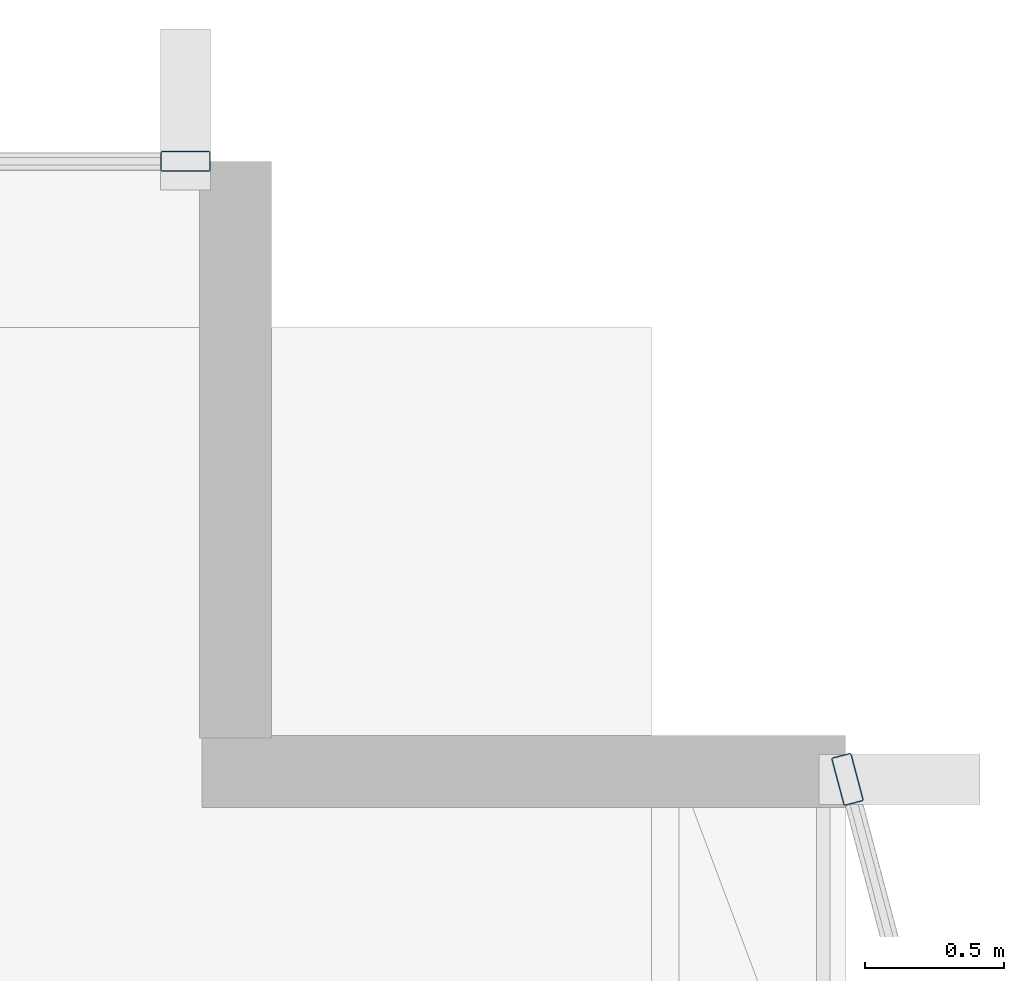
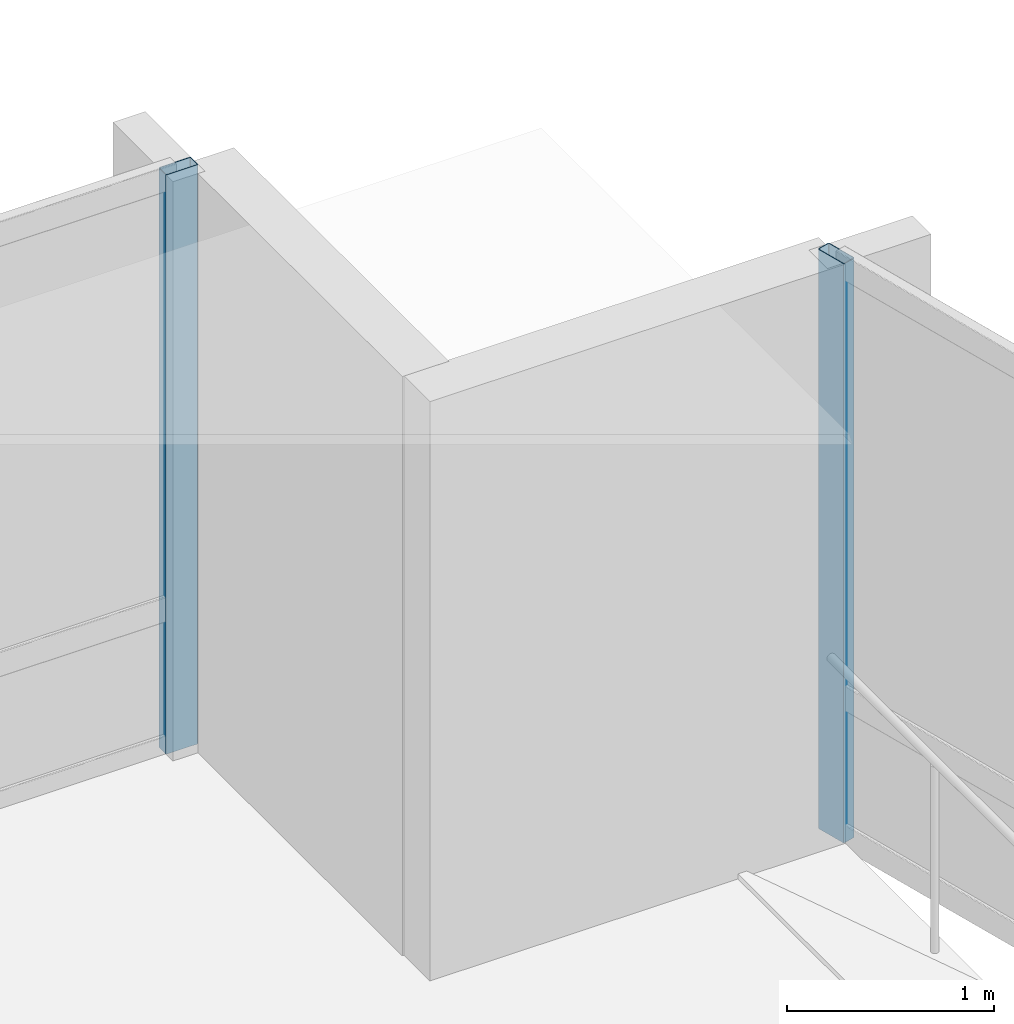
# One storey, part 14 of 27: 2 members, 2 elements without a shape of their own.
"""IFC4 building model written with IfcOpenShell, lengths in metres."""

import ifcopenshell
import ifcopenshell.guid

model = None  # the IFC model being written
_history = None  # IfcOwnerHistory: only IFC2X3 demands one
_inside = {}  # id of a spatial element -> (the spatial element, [elements in it])
_under = {}  # id of a project, library or spatial element -> (it, [spatial elements below it])
_declared = {}  # id of a project -> (the project, [libraries it declares])
_typed = {}  # id of a type object -> (the type object, [elements of that type])
_made_of = {}  # id of a material, layer set ... -> (it, [elements and type objects made of it])


def new_model(schema):
    """Start an empty IFC model of exactly this schema.

    Asked for "IFC4X3", IfcOpenShell would pick the latest addendum, in which some entities
    have other attributes; the version numbers below select the first issue.
    IFC2X3 requires an IfcOwnerHistory on every rooted entity: one is made here for all.
    """
    global model, _history
    if schema == "IFC4X3":
        model = ifcopenshell.file(schema_version=(4, 3, 0, 0))
    else:
        model = ifcopenshell.file(schema=schema)
    _inside.clear()
    _under.clear()
    _declared.clear()
    _typed.clear()
    _made_of.clear()
    _history = None
    if model.schema == "IFC2X3":
        org = make("IfcOrganization", Name="unknown")
        user = make(
            "IfcPersonAndOrganization",
            ThePerson=make("IfcPerson", FamilyName="unknown"),
            TheOrganization=org,
        )
        app = make(
            "IfcApplication",
            ApplicationDeveloper=org,
            Version="unknown",
            ApplicationFullName="unknown",
            ApplicationIdentifier="unknown",
        )
        _history = make(
            "IfcOwnerHistory",
            OwningUser=user,
            OwningApplication=app,
            ChangeAction="ADDED",
            CreationDate=0,
        )
    return model


def make(cls, **values):
    """One entity of the class cls with the attributes given. An attribute that is None is left unset."""
    return model.create_entity(
        cls, **{name: value for name, value in values.items() if value is not None}
    )


def rooted(cls, **values):
    """An entity with a GlobalId (a new one), such as an element, a storey or a relation."""
    return make(cls, GlobalId=ifcopenshell.guid.new(), OwnerHistory=_history, **values)


def si_unit(unit_type, name, prefix=None):
    """IfcSIUnit, for example si_unit("LENGTHUNIT", "METRE", prefix="MILLI")."""
    return make("IfcSIUnit", UnitType=unit_type, Prefix=prefix, Name=name)


def assignment(units):
    """IfcUnitAssignment: the units of a project."""
    return None if units is None else make("IfcUnitAssignment", Units=units)


def point(xyz):
    """IfcCartesianPoint."""
    return None if xyz is None else make("IfcCartesianPoint", Coordinates=xyz)


def direction(xyz):
    """IfcDirection."""
    return None if xyz is None else make("IfcDirection", DirectionRatios=xyz)


def frame(location, z_axis=None, x_axis=None):
    """IfcAxis2Placement3D, a coordinate frame: its origin and axes. An axis left out is left unset."""
    return make(
        "IfcAxis2Placement3D",
        Location=point(location),
        Axis=direction(z_axis),
        RefDirection=direction(x_axis),
    )


def frame_2d(location, x_axis=None):
    """IfcAxis2Placement2D, a coordinate frame in the plane: its origin and x axis."""
    return make(
        "IfcAxis2Placement2D", Location=point(location), RefDirection=direction(x_axis)
    )


def origin():
    """The frame at (0, 0, 0) with its axes left unset."""
    return frame((0.0, 0.0, 0.0))


def origin_2d():
    """The frame at (0, 0) in the plane with its x axis left unset."""
    return frame_2d((0.0, 0.0))


def place(relative_to, where):
    """IfcLocalPlacement: puts the frame where relative to a parent placement (None: the world)."""
    return make(
        "IfcLocalPlacement", PlacementRelTo=relative_to, RelativePlacement=where
    )


def context(
    kind, dimensions, precision=None, world=None, true_north=None, identifier=None
):
    """IfcGeometricRepresentationContext, for example the 3D "Model" context."""
    return make(
        "IfcGeometricRepresentationContext",
        ContextIdentifier=identifier,
        ContextType=kind,
        CoordinateSpaceDimension=dimensions,
        Precision=precision,
        WorldCoordinateSystem=world,
        TrueNorth=true_north,
    )


def subcontext(parent, identifier, kind, view, scale=None):
    """IfcGeometricRepresentationSubContext, for example "Body" below "Model"."""
    return make(
        "IfcGeometricRepresentationSubContext",
        ContextIdentifier=identifier,
        ContextType=kind,
        ParentContext=parent,
        TargetScale=scale,
        TargetView=view,
    )


def project(units=None, contexts=None):
    """IfcProject with its units and contexts."""
    return rooted(
        "IfcProject",
        Name="project",
        RepresentationContexts=contexts,
        UnitsInContext=assignment(units),
    )


def spatial(cls, under=None, at=None, **own):
    """A site, building, storey or space (cls), placed at a placement, below another one or the project."""
    s = rooted(cls, ObjectPlacement=at, **own)
    if under is not None:
        _under.setdefault(under.id(), (under, []))[1].append(s)
    return s


def profile(cls, at=None, kind="AREA", **sizes):
    """A parametric profile (cls). Its sizes go by their IFC names, for example OverallWidth=200.0."""
    return make(cls, ProfileType=kind, Position=at, **sizes)


def hollow_rectangle(**sizes):
    """IfcRectangleHollowProfileDef."""
    return profile("IfcRectangleHollowProfileDef", **sizes)


def extrude(swept, where, along, depth):
    """IfcExtrudedAreaSolid: the profile swept, set in the frame where, extruded along a direction by depth."""
    return make(
        "IfcExtrudedAreaSolid",
        SweptArea=swept,
        Position=where,
        ExtrudedDirection=direction(along),
        Depth=depth,
    )


def shape(context_of_items, identifier, shape_type, items):
    """IfcShapeRepresentation: the items that make up one representation, for example the "Body"."""
    return make(
        "IfcShapeRepresentation",
        ContextOfItems=context_of_items,
        RepresentationIdentifier=identifier,
        RepresentationType=shape_type,
        Items=items,
    )


def material(Name=None, Category=None):
    """IfcMaterial."""
    return make("IfcMaterial", Name=Name, Category=Category)


def layer(
    of_material, thickness, ventilated=None, Name=None, Category=None, Priority=None
):
    """IfcMaterialLayer: one layer of a wall or slab, of a material (None: an air gap)."""
    return make(
        "IfcMaterialLayer",
        Material=of_material,
        LayerThickness=thickness,
        IsVentilated=ventilated,
        Name=Name,
        Category=Category,
        Priority=Priority,
    )


def layer_set(layers, Name=None):
    """IfcMaterialLayerSet."""
    return make("IfcMaterialLayerSet", MaterialLayers=layers, LayerSetName=Name)


def material_profile(
    of_material, cross_section, Name=None, Category=None, Priority=None
):
    """IfcMaterialProfile: a cross section and its material."""
    return make(
        "IfcMaterialProfile",
        Name=Name,
        Material=of_material,
        Profile=cross_section,
        Priority=Priority,
        Category=Category,
    )


def profile_set(profiles, Name=None, composite=None):
    """IfcMaterialProfileSet."""
    return make(
        "IfcMaterialProfileSet",
        Name=Name,
        MaterialProfiles=profiles,
        CompositeProfile=composite,
    )


def made_of(thing, what):
    """Note that an element or type object is made of a material, layer set ...; save() writes the relation."""
    if what is not None:
        _made_of.setdefault(what.id(), (what, []))[1].append(thing)
    return thing


def type_object(cls, material=None, **own):
    """A type object (cls), such as IfcWallType, which elements share."""
    return made_of(rooted(cls, **own), material)


def element(
    cls,
    number,
    at=None,
    inside=None,
    cuts=None,
    type_object=None,
    material=None,
    context=None,
    identifier="Body",
    shape_type=None,
    held_by="IfcProductDefinitionShape",
    body=None,
    shapes=None,
    **own,
):
    """One element of the class cls, such as IfcWall. Its Tag is "e" and its number.

    at: its placement. inside: the storey or other place that contains it. cuts: it is an
    opening in that element (IfcRelVoidsElement). A single representation is given by context,
    identifier, shape_type and body (its items); several are given by shapes. held_by: the class
    of the entity that holds the representations. save() writes the other relations.
    """
    e = rooted(cls, Tag="e%d" % number, ObjectPlacement=at, **own)
    if body is not None:
        shapes = [shape(context, identifier, shape_type, body)]
    if shapes is not None:
        e.Representation = make(held_by, Representations=shapes)
    if inside is not None:
        _inside.setdefault(inside.id(), (inside, []))[1].append(e)
    if cuts is not None:
        rooted(
            "IfcRelVoidsElement", RelatingBuildingElement=cuts, RelatedOpeningElement=e
        )
    if type_object is not None:
        _typed.setdefault(type_object.id(), (type_object, []))[1].append(e)
    return made_of(e, material)


def aggregate(whole, parts):
    """IfcRelAggregates: a whole, such as a stair, and the parts it consists of."""
    return rooted("IfcRelAggregates", RelatingObject=whole, RelatedObjects=parts)


def save(model, path):
    """Write the relations noted so far, then the file.

    IfcRelAggregates (storeys below a building ...), IfcRelContainedInSpatialStructure (elements
    in a storey), IfcRelDefinesByType, IfcRelAssociatesMaterial and IfcRelDeclares: one each for
    every whole, place, type object, material and project.
    """
    for whole, parts in _under.values():
        aggregate(whole, parts)
    for where, things in _inside.values():
        rooted(
            "IfcRelContainedInSpatialStructure",
            RelatedElements=things,
            RelatingStructure=where,
        )
    for kind, things in _typed.values():
        rooted("IfcRelDefinesByType", RelatedObjects=things, RelatingType=kind)
    for what, things in _made_of.values():
        rooted("IfcRelAssociatesMaterial", RelatedObjects=things, RelatingMaterial=what)
    for by, libraries in _declared.values():
        rooted("IfcRelDeclares", RelatingContext=by, RelatedDefinitions=libraries)
    model.write(path)


model = new_model("IFC4")

# Units and contexts
model_context = context("Model", 3, precision=1e-05, world=origin(), true_north=direction((0.0, 1.0)))
body_context = subcontext(model_context, "Body", "Model", "MODEL_VIEW")
ifc_project = project(units=[si_unit("LENGTHUNIT", "METRE"), si_unit("AREAUNIT", "SQUARE_METRE"), si_unit("VOLUMEUNIT", "CUBIC_METRE"), si_unit("PLANEANGLEUNIT", "RADIAN"), si_unit("MASSUNIT", "GRAM", prefix="KILO")], contexts=[model_context])

# Site, building, storey
site_placement = place(None, origin())
site = spatial("IfcSite", under=ifc_project, at=site_placement, CompositionType="ELEMENT")
building_placement = place(site_placement, origin())
building = spatial("IfcBuilding", under=site, at=building_placement, Name="Solvaryn Broadcast Tower", CompositionType="ELEMENT")
storey_placement = place(building_placement, frame((0.0, 0.0, 228.39990234375)))
storey = spatial("IfcBuildingStorey", under=building, at=storey_placement, Name="L57", CompositionType="ELEMENT", Elevation=228.39990234375)

# Curtain wall, member
ifc_material_1 = material(Name="Aluminium and Terracotta Unitised Curtain Wall", Category="masonry")
ifc_layer = layer(ifc_material_1, 0.199951171875)
ifc_layer_set = layer_set([ifc_layer], Name="CW-SYS2-LOWMID")
curtain_wall_type = type_object("IfcCurtainWallType", Name="CW-SYS2-LOWMID", PredefinedType="NOTDEFINED", material=ifc_layer_set)
curtain_wall_1_placement = place(storey_placement, origin())
curtain_wall_1 = element("IfcCurtainWall", 1, at=curtain_wall_1_placement, inside=storey, type_object=curtain_wall_type, Name="L57 Curtain Wall ET1", PredefinedType="NOTDEFINED")
ifc_material_2 = material(Name="Anodised Aluminium 6063-T6", Category="aluminium")
ifc_material_profile = material_profile(ifc_material_2, hollow_rectangle(XDim=0.074951171875, YDim=0.179931640625, WallThickness=0.00390625, InnerFilletRadius=0.00390625, OuterFilletRadius=0.008056640625, at=origin_2d()))
ifc_profile_set = profile_set([ifc_material_profile], Name="Anodised Aluminium 6063-T6")
member_type = type_object("IfcMemberType", Name="CW-MUL-180", PredefinedType="MULLION", material=ifc_profile_set)
member_1_placement = place(storey_placement, frame((54.007568359375, 24.77099609375, 0.0), z_axis=(0.0, 0.0, 1.0), x_axis=(0.966705227863, 0.25589256031, 0.0)))
member_1 = element("IfcMember", 2, at=member_1_placement, type_object=member_type, Name="CWS2 mullion 1", PredefinedType="MULLION", context=body_context, shape_type="SweptSolid", body=[
    extrude(hollow_rectangle(XDim=0.074951171875, YDim=0.179931640625, WallThickness=0.00390625, InnerFilletRadius=0.00390625, OuterFilletRadius=0.008056640625, at=origin_2d()), origin(), (0.0, 0.0, 1.0), 3.420166015625),
])
aggregate(curtain_wall_1, [member_1])

curtain_wall_2_placement = place(storey_placement, origin())
curtain_wall_2 = element("IfcCurtainWall", 3, at=curtain_wall_2_placement, inside=storey, type_object=curtain_wall_type, Name="L57 Curtain Wall IH", PredefinedType="NOTDEFINED")
member_2_placement = place(storey_placement, frame((51.6201171875, 27.0, 0.0), z_axis=(0.0, 0.0, 1.0), x_axis=(0.0, 1.0, 0.0)))
member_2 = element("IfcMember", 4, at=member_2_placement, type_object=member_type, Name="CWS2 mullion 2", PredefinedType="MULLION", context=body_context, shape_type="SweptSolid", body=[
    extrude(hollow_rectangle(XDim=0.074951171875, YDim=0.179931640625, WallThickness=0.00390625, InnerFilletRadius=0.00390625, OuterFilletRadius=0.008056640625, at=origin_2d()), origin(), (0.0, 0.0, 1.0), 3.420166015625),
])
aggregate(curtain_wall_2, [member_2])

save(model, "model.ifc")
